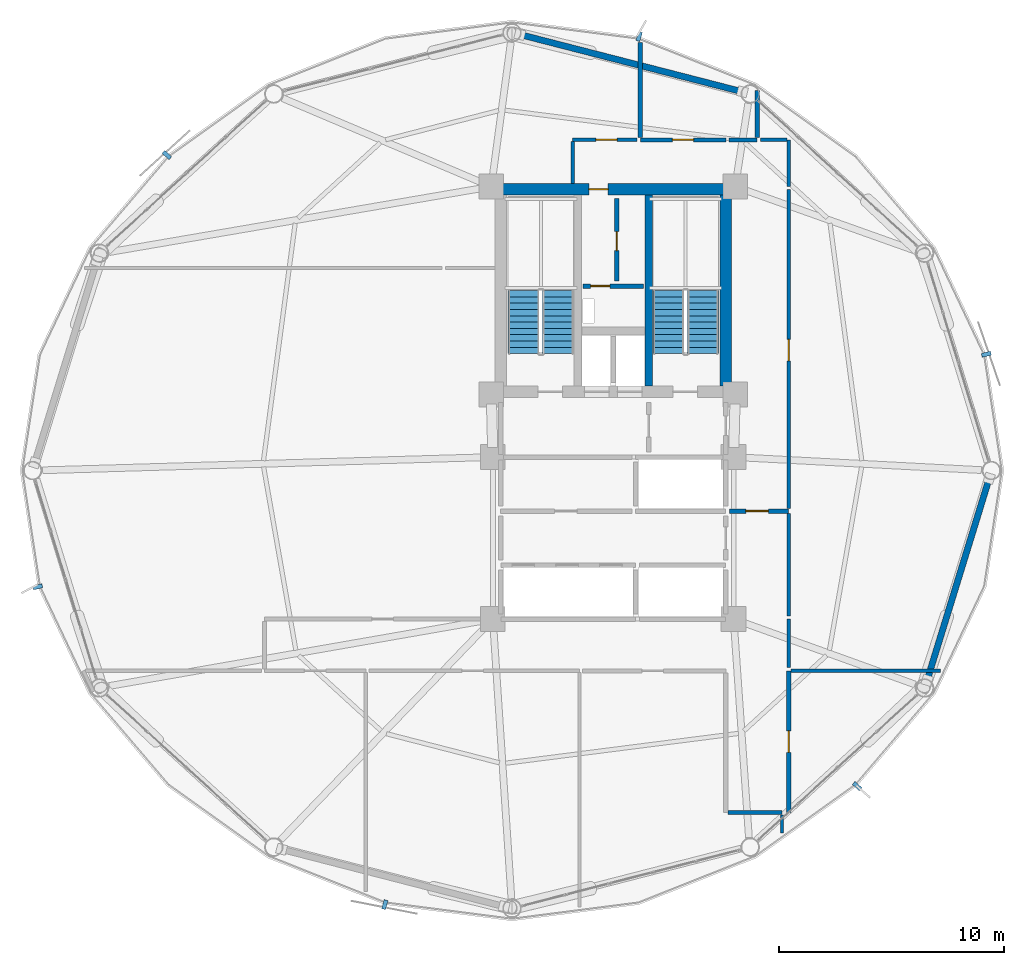
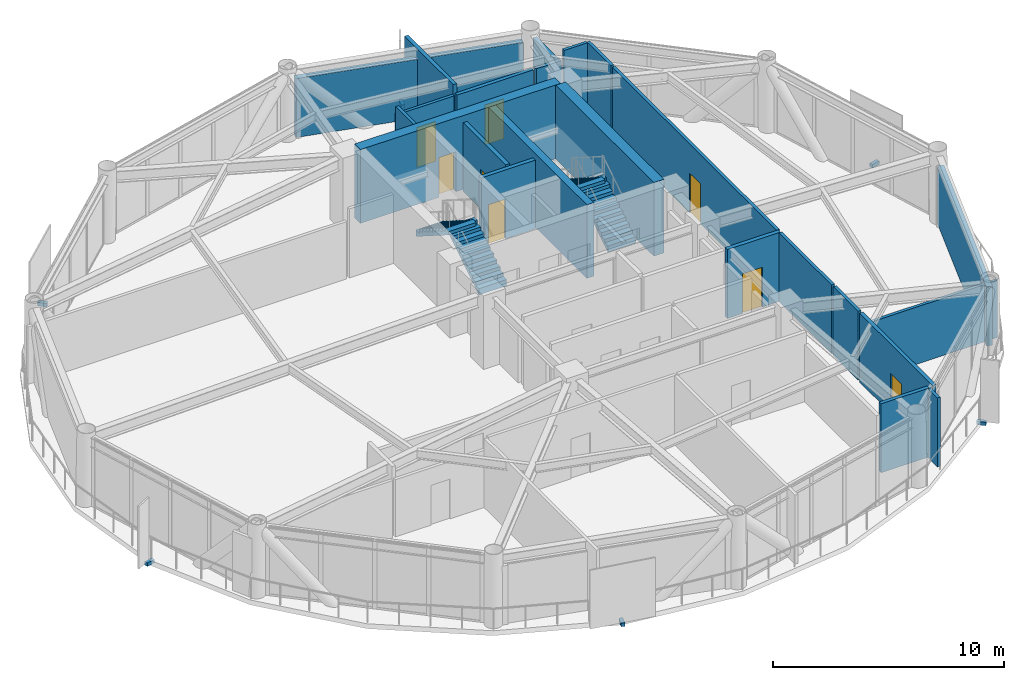
# One storey, part 21 of 24: 23 walls, 8 doors, 6 discrete accessories, 4 stair flights, 8 openings, 2 elements without a shape of their own.
"""IFC4 building model written with IfcOpenShell, lengths in metres."""

from ifc_helpers import new_model, si_unit, direction, frame, frame_2d, origin, origin_2d, place, context, subcontext, project, spatial, polyline, rectangle, outline, extrude, source, transform, mapped, material, layer, layer_set, type_object, type_shapes, element, fill, aggregate, save


model = new_model("IFC4")

# Units and contexts
model_context = context("Model", 3, precision=1e-05, world=origin(), true_north=direction((0.0, 1.0)))
body_context = subcontext(model_context, "Body", "Model", "MODEL_VIEW")
ifc_project = project(units=[si_unit("LENGTHUNIT", "METRE"), si_unit("AREAUNIT", "SQUARE_METRE"), si_unit("VOLUMEUNIT", "CUBIC_METRE"), si_unit("PLANEANGLEUNIT", "RADIAN"), si_unit("MASSUNIT", "GRAM", prefix="KILO")], contexts=[model_context])

# Site, building, storey
site_placement = place(None, origin())
site = spatial("IfcSite", under=ifc_project, at=site_placement, CompositionType="ELEMENT")
building_placement = place(site_placement, origin())
building = spatial("IfcBuilding", under=site, at=building_placement, Name="Varnakorn Sky Granary", CompositionType="ELEMENT")
storey_placement = place(building_placement, frame((0.0, 0.0, 118.800048828125)))
storey = spatial("IfcBuildingStorey", under=building, at=storey_placement, Name="L29", CompositionType="ELEMENT", Elevation=118.800048828125)

# Wall
ifc_material_1 = material(Name="Concrete C50/60", Category="concrete")
ifc_layer_1 = layer(ifc_material_1, 0.35009765625, Name="Concrete C50/60")
ifc_layer_set_1 = layer_set([ifc_layer_1], Name="Concrete C50/60")
wall_type_1 = type_object("IfcWallType", Name="WT-CW-INT-350", PredefinedType="SHEAR", material=ifc_layer_set_1)
wall_1_placement = place(storey_placement, frame((4.580078125, 3.760009765625, 0.0), z_axis=(0.0, 0.0, 1.0), x_axis=(0.0, 1.0, 0.0)))
element("IfcWall", 1, at=wall_1_placement, inside=storey, type_object=wall_type_1, Name="Stair ST-2 Core Wall L29", PredefinedType="SHEAR", context=body_context, shape_type="SweptSolid", body=[
    extrude(rectangle(XDim=8.47998046875, YDim=0.35009765625, at=frame_2d((4.239990234375, 0.0))), origin(), (0.0, 0.0, 1.0), 3.891845703125),
])

# Wall, opening, door
ifc_material_2 = material(Name="Concrete C60/75", Category="concrete")
ifc_layer_2 = layer(ifc_material_2, 0.5, Name="Concrete C60/75")
ifc_layer_set_2 = layer_set([ifc_layer_2], Name="Concrete C60/75")
wall_type_2 = type_object("IfcWallType", Name="WT-CW-SHEAR-500", PredefinedType="SHEAR", material=ifc_layer_set_2)
wall_2_placement = place(storey_placement, frame((-2.0, 12.5, 0.0), z_axis=(0.0, 0.0, 1.0), x_axis=(1.0, 0.0, 0.0)))
wall_2 = element("IfcWall", 2, at=wall_2_placement, inside=storey, type_object=wall_type_2, Name="Core North Shear Wall L29", PredefinedType="SHEAR", context=body_context, shape_type="SweptSolid", body=[
    extrude(rectangle(XDim=10.0, YDim=0.5, at=frame_2d((5.0, 0.0))), origin(), (0.0, 0.0, 1.0), 3.891845703125),
])
opening_1_placement = place(wall_2_placement, frame((3.919921875, 0.0, 0.0)))
opening_1 = element("IfcOpeningElement", 3, at=opening_1_placement, cuts=wall_2, Name="Opening FD-60N", PredefinedType="OPENING", context=body_context, shape_type="SweptSolid", body=[
    extrude(rectangle(XDim=0.85009765625, YDim=2.10009765625, at=frame_2d((0.425048828125, 1.050048828125))), frame((0.0, 0.260009765625, 0.0), z_axis=(0.0, -1.0, 0.0), x_axis=(1.0, 0.0, 0.0)), (0.0, 0.0, 1.0), 0.52001953125),
])
ifc_material_3 = material(Name="Acoustic Timber Fire Leaf", Category="wood")
door_type_1 = type_object("IfcDoorType", Name="DR-FD60-850", OperationType="NOTDEFINED", PredefinedType="DOOR", material=ifc_material_3)
door_1_placement = place(opening_1_placement, origin())
door_1 = element("IfcDoor", 4, at=door_1_placement, inside=storey, type_object=door_type_1, Name="Core North Service Door L29", OperationType="SINGLE_SWING_LEFT", OverallHeight=2.10009765625, OverallWidth=0.85009765625, PredefinedType="DOOR", context=body_context, shape_type="SweptSolid", body=[
    extrude(rectangle(XDim=0.85009765625, YDim=2.10009765625, at=frame_2d((0.425048828125, 1.050048828125))), frame((0.0, 0.02490234375, 0.0), z_axis=(0.0, -1.0, 0.0), x_axis=(1.0, 0.0, 0.0)), (0.0, 0.0, 1.0), 0.050048828125),
])
fill(opening_1, door_1)

# Walls
wall_3_placement = place(storey_placement, frame((8.0, 3.760009765625, 0.0), z_axis=(0.0, 0.0, 1.0), x_axis=(0.0, 1.0, 0.0)))
element("IfcWall", 5, at=wall_3_placement, inside=storey, type_object=wall_type_2, Name="Core East Shear Wall L29", PredefinedType="SHEAR", context=body_context, shape_type="SweptSolid", body=[
    extrude(rectangle(XDim=8.47998046875, YDim=0.5, at=frame_2d((4.239990234375, 0.0))), origin(), (0.0, 0.0, 1.0), 3.891845703125),
])
ifc_material_4 = material(Name="Precast concrete C40/50", Category="concrete")
ifc_layer_3 = layer(ifc_material_4, 0.280029296875, Name="Precast concrete C40/50")
ifc_layer_set_3 = layer_set([ifc_layer_3], Name="Precast concrete C40/50")
wall_type_3 = type_object("IfcWallType", Name="WT-EW-CRN-280", PredefinedType="SOLIDWALL", material=ifc_layer_set_3)
wall_4_placement = place(storey_placement, frame((-1.14990234375, 19.37890625, 0.0), z_axis=(0.0, 0.0, 1.0), x_axis=(0.968450417212, -0.249206318945, 0.0)))
element("IfcWall", 6, at=wall_4_placement, inside=storey, type_object=wall_type_3, Name="Agritech Insulated Precast Facade Wall L29-P03", PredefinedType="SOLIDWALL", context=body_context, shape_type="SweptSolid", body=[
    extrude(rectangle(XDim=10.213134765625, YDim=0.280029296875, at=frame_2d((5.1064453125, 0.0))), origin(), (0.0, 0.0, 1.0), 3.10986328125),
])
wall_5_placement = place(storey_placement, frame((19.710693359375, -0.345458984375, 0.0), z_axis=(0.0, 0.0, 1.0), x_axis=(-0.293928735114, -0.955827337271, 0.0)))
element("IfcWall", 7, at=wall_5_placement, inside=storey, type_object=wall_type_3, Name="Agritech Insulated Precast Facade Wall L29-P12", PredefinedType="SOLIDWALL", context=body_context, shape_type="SweptSolid", body=[
    extrude(rectangle(XDim=9.390869140625, YDim=0.280029296875, at=frame_2d((4.6953125, 0.0))), origin(), (0.0, 0.0, 1.0), 3.10986328125),
])

# Wall, opening, door
ifc_material_5 = material(Name="Autoclaved Aerated Concrete Blockwork", Category="masonry")
ifc_layer_4 = layer(ifc_material_5, 0.199951171875, Name="Autoclaved Aerated Concrete Blockwork")
ifc_layer_set_4 = layer_set([ifc_layer_4], Name="Autoclaved Aerated Concrete Blockwork")
wall_type_4 = type_object("IfcWallType", Name="WT-FIRE-200", PredefinedType="MOVABLE", material=ifc_layer_set_4)
wall_6_placement = place(storey_placement, frame((1.64990234375, 8.199951171875, 0.0), z_axis=(0.0, 0.0, 1.0), x_axis=(1.0, 0.0, 0.0)))
wall_6 = element("IfcWall", 8, at=wall_6_placement, inside=storey, type_object=wall_type_4, Name="Interior Partition Wall L29-013", PredefinedType="MOVABLE", context=body_context, shape_type="SweptSolid", body=[
    extrude(rectangle(XDim=2.7001953125, YDim=0.199951171875, at=frame_2d((1.35009765625, 0.0))), origin(), (0.0, 0.0, 1.0), 3.639892578125),
])
opening_2_placement = place(wall_6_placement, frame((0.35009765625, 0.0, 0.0)))
opening_2 = element("IfcOpeningElement", 9, at=opening_2_placement, cuts=wall_6, Name="Opening FD-60N", PredefinedType="OPENING", context=body_context, shape_type="SweptSolid", body=[
    extrude(rectangle(XDim=0.85009765625, YDim=2.10009765625, at=frame_2d((0.425048828125, 1.050048828125))), frame((0.0, 0.10986328125, 0.0), z_axis=(0.0, -1.0, 0.0), x_axis=(1.0, 0.0, 0.0)), (0.0, 0.0, 1.0), 0.219970703125),
])
door_2_placement = place(opening_2_placement, origin())
door_2 = element("IfcDoor", 10, at=door_2_placement, inside=storey, type_object=door_type_1, Name="Interior Door L29-013-1", OperationType="SINGLE_SWING_RIGHT", OverallHeight=2.10009765625, OverallWidth=0.85009765625, PredefinedType="DOOR", context=body_context, shape_type="SweptSolid", body=[
    extrude(rectangle(XDim=0.85009765625, YDim=2.10009765625, at=frame_2d((0.425048828125, 1.050048828125))), frame((0.0, 0.02490234375, 0.0), z_axis=(0.0, -1.0, 0.0), x_axis=(1.0, 0.0, 0.0)), (0.0, 0.0, 1.0), 0.050048828125),
])
fill(opening_2, door_2)

wall_7_placement = place(storey_placement, frame((3.14990234375, 8.429931640625, 0.0), z_axis=(0.0, 0.0, 1.0), x_axis=(0.0, 1.0, 0.0)))
wall_7 = element("IfcWall", 11, at=wall_7_placement, inside=storey, type_object=wall_type_4, Name="Interior Partition Wall L29-014", PredefinedType="MOVABLE", context=body_context, shape_type="SweptSolid", body=[
    extrude(rectangle(XDim=3.670166015625, YDim=0.199951171875, at=frame_2d((1.8349609375, 0.0))), origin(), (0.0, 0.0, 1.0), 3.639892578125),
])
opening_3_placement = place(wall_7_placement, frame((1.340087890625, 0.0, 0.0)))
opening_3 = element("IfcOpeningElement", 12, at=opening_3_placement, cuts=wall_7, Name="Opening FD-60N", PredefinedType="OPENING", context=body_context, shape_type="SweptSolid", body=[
    extrude(rectangle(XDim=0.85009765625, YDim=2.10009765625, at=frame_2d((0.425048828125, 1.050048828125))), frame((0.0, 0.10986328125, 0.0), z_axis=(0.0, -1.0, 0.0), x_axis=(1.0, 0.0, 0.0)), (0.0, 0.0, 1.0), 0.219970703125),
])
door_3_placement = place(opening_3_placement, origin())
door_3 = element("IfcDoor", 13, at=door_3_placement, inside=storey, type_object=door_type_1, Name="Interior Door L29-014-1", OperationType="SINGLE_SWING_LEFT", OverallHeight=2.10009765625, OverallWidth=0.85009765625, PredefinedType="DOOR", context=body_context, shape_type="SweptSolid", body=[
    extrude(rectangle(XDim=0.85009765625, YDim=2.10009765625, at=frame_2d((0.425048828125, 1.050048828125))), frame((0.0, 0.02490234375, 0.0), z_axis=(0.0, -1.0, 0.0), x_axis=(1.0, 0.0, 0.0)), (0.0, 0.0, 1.0), 0.050048828125),
])
fill(opening_3, door_3)

wall_8_placement = place(storey_placement, frame((8.159912109375, -1.800048828125, 0.0), z_axis=(0.0, 0.0, 1.0), x_axis=(1.0, 0.0, 0.0)))
wall_8 = element("IfcWall", 14, at=wall_8_placement, inside=storey, type_object=wall_type_4, Name="Interior Partition Wall L29-019", PredefinedType="MOVABLE", context=body_context, shape_type="SweptSolid", body=[
    extrude(rectangle(XDim=2.64013671875, YDim=0.199951171875, at=frame_2d((1.320068359375, 0.0))), origin(), (0.0, 0.0, 1.0), 3.639892578125),
])
opening_4_placement = place(wall_8_placement, frame((0.739990234375, 0.0, 0.0)))
opening_4 = element("IfcOpeningElement", 15, at=opening_4_placement, cuts=wall_8, Name="Opening FD-60", PredefinedType="OPENING", context=body_context, shape_type="SweptSolid", body=[
    extrude(rectangle(XDim=1.0, YDim=2.10009765625, at=frame_2d((0.5, 1.050048828125))), frame((0.0, 0.10986328125, 0.0), z_axis=(0.0, -1.0, 0.0), x_axis=(1.0, 0.0, 0.0)), (0.0, 0.0, 1.0), 0.219970703125),
])
door_type_2 = type_object("IfcDoorType", Name="DR-FD60-1000", OperationType="NOTDEFINED", PredefinedType="DOOR", material=ifc_material_3)
door_4_placement = place(opening_4_placement, origin())
door_4 = element("IfcDoor", 16, at=door_4_placement, inside=storey, type_object=door_type_2, Name="Interior Door L29-019-1", OperationType="SINGLE_SWING_RIGHT", OverallHeight=2.10009765625, OverallWidth=1.0, PredefinedType="DOOR", context=body_context, shape_type="SweptSolid", body=[
    extrude(rectangle(XDim=1.0, YDim=2.10009765625, at=frame_2d((0.5, 1.050048828125))), frame((0.0, 0.02490234375, 0.0), z_axis=(0.0, -1.0, 0.0), x_axis=(1.0, 0.0, 0.0)), (0.0, 0.0, 1.0), 0.050048828125),
])
fill(opening_4, door_4)

ifc_material_6 = material(Name="Gypsum Plasterboard on Steel Stud", Category="steel")
ifc_layer_5 = layer(ifc_material_6, 0.14990234375, Name="Gypsum Plasterboard on Steel Stud")
ifc_layer_set_5 = layer_set([ifc_layer_5], Name="Gypsum Plasterboard on Steel Stud")
wall_type_5 = type_object("IfcWallType", Name="WT-PART-150", PredefinedType="PARTITIONING", material=ifc_layer_set_5)
wall_9_placement = place(storey_placement, frame((4.050048828125, 14.699951171875, 0.0), z_axis=(0.0, 0.0, 1.0), x_axis=(-1.0, 0.0, 0.0)))
wall_9 = element("IfcWall", 17, at=wall_9_placement, inside=storey, type_object=wall_type_5, Name="Interior Partition Wall L29-026", PredefinedType="PARTITIONING", context=body_context, shape_type="SweptSolid", body=[
    extrude(rectangle(XDim=2.85009765625, YDim=0.14990234375, at=frame_2d((1.425048828125, 0.0))), origin(), (0.0, 0.0, 1.0), 3.171875),
])
opening_5_placement = place(wall_9_placement, frame((0.875, 0.0, 0.0)))
opening_5 = element("IfcOpeningElement", 18, at=opening_5_placement, cuts=wall_9, Name="Opening ID-95", PredefinedType="OPENING", context=body_context, shape_type="SweptSolid", body=[
    extrude(rectangle(XDim=0.949951171875, YDim=2.10009765625, at=frame_2d((0.47509765625, 1.050048828125))), frame((0.0, 0.0849609375, 0.0), z_axis=(0.0, -1.0, 0.0), x_axis=(1.0, 0.0, 0.0)), (0.0, 0.0, 1.0), 0.169921875),
])
ifc_material_7 = material(Name="Solid-Core Teak Veneer Leaf", Category="timber")
door_type_3 = type_object("IfcDoorType", Name="DR-INT-950", OperationType="NOTDEFINED", PredefinedType="DOOR", material=ifc_material_7)
door_5_placement = place(opening_5_placement, origin())
door_5 = element("IfcDoor", 19, at=door_5_placement, inside=storey, type_object=door_type_3, Name="Interior Door L29-026-1", OperationType="SINGLE_SWING_LEFT", OverallHeight=2.10009765625, OverallWidth=0.949951171875, PredefinedType="DOOR", context=body_context, shape_type="SweptSolid", body=[
    extrude(rectangle(XDim=0.949951171875, YDim=2.10009765625, at=frame_2d((0.47509765625, 1.050048828125))), frame((0.0, 0.02490234375, 0.0), z_axis=(0.0, -1.0, 0.0), x_axis=(1.0, 0.0, 0.0)), (0.0, 0.0, 1.0), 0.050048828125),
])
fill(opening_5, door_5)

wall_10_placement = place(storey_placement, frame((10.800048828125, -1.68994140625, 0.0), z_axis=(0.0, 0.0, 1.0), x_axis=(0.0, 1.0, 0.0)))
wall_10 = element("IfcWall", 20, at=wall_10_placement, inside=storey, type_object=wall_type_5, Name="Interior Partition Wall L29-027", PredefinedType="PARTITIONING", context=body_context, shape_type="SweptSolid", body=[
    extrude(rectangle(XDim=14.18994140625, YDim=0.14990234375, at=frame_2d((7.094970703125, 0.0))), origin(), (0.0, 0.0, 1.0), 3.639892578125),
])
opening_6_placement = place(wall_10_placement, frame((6.56494140625, 0.0, 0.0)))
opening_6 = element("IfcOpeningElement", 21, at=opening_6_placement, cuts=wall_10, Name="Opening ID-95", PredefinedType="OPENING", context=body_context, shape_type="SweptSolid", body=[
    extrude(rectangle(XDim=0.949951171875, YDim=2.10009765625, at=frame_2d((0.47509765625, 1.050048828125))), frame((0.0, 0.0849609375, 0.0), z_axis=(0.0, -1.0, 0.0), x_axis=(1.0, 0.0, 0.0)), (0.0, 0.0, 1.0), 0.169921875),
])
door_6_placement = place(opening_6_placement, origin())
door_6 = element("IfcDoor", 22, at=door_6_placement, inside=storey, type_object=door_type_3, Name="Interior Door L29-027-1", OperationType="SINGLE_SWING_RIGHT", OverallHeight=2.10009765625, OverallWidth=0.949951171875, PredefinedType="DOOR", context=body_context, shape_type="SweptSolid", body=[
    extrude(rectangle(XDim=0.949951171875, YDim=2.10009765625, at=frame_2d((0.47509765625, 1.050048828125))), frame((0.0, 0.02490234375, 0.0), z_axis=(0.0, -1.0, 0.0), x_axis=(1.0, 0.0, 0.0)), (0.0, 0.0, 1.0), 0.050048828125),
])
fill(opening_6, door_6)

# Walls
wall_11_placement = place(storey_placement, frame((10.5, -15.300048828125, 0.0), z_axis=(0.0, 0.0, 1.0), x_axis=(0.0, -1.0, 0.0)))
element("IfcWall", 23, at=wall_11_placement, inside=storey, type_object=wall_type_5, Name="Interior Partition Wall L29-039", PredefinedType="PARTITIONING", context=body_context, shape_type="SweptSolid", body=[
    extrude(rectangle(XDim=0.81689453125, YDim=0.14990234375, at=frame_2d((0.408447265625, 0.0))), origin(), (0.0, 0.0, 1.0), 3.639892578125),
])
wall_12_placement = place(storey_placement, frame((10.89990234375, -8.89990234375, 0.0), z_axis=(0.0, 0.0, 1.0), x_axis=(1.0, 0.0, 0.0)))
element("IfcWall", 24, at=wall_12_placement, inside=storey, type_object=wall_type_5, Name="Interior Partition Wall L29-040", PredefinedType="PARTITIONING", context=body_context, shape_type="SweptSolid", body=[
    extrude(rectangle(XDim=6.649169921875, YDim=0.14990234375, at=frame_2d((3.32470703125, 0.0))), origin(), (0.0, 0.0, 1.0), 3.02197265625),
])
wall_13_placement = place(storey_placement, frame((1.199951171875, 14.614990234375, 0.0), z_axis=(0.0, 0.0, 1.0), x_axis=(0.0, -1.0, 0.0)))
element("IfcWall", 25, at=wall_13_placement, inside=storey, type_object=wall_type_5, Name="Interior Partition Wall L29-044", PredefinedType="PARTITIONING", context=body_context, shape_type="SweptSolid", body=[
    extrude(rectangle(XDim=1.85498046875, YDim=0.14990234375, at=frame_2d((0.927490234375, 0.0))), origin(), (0.0, 0.0, 1.0), 3.639892578125),
])
wall_14_placement = place(storey_placement, frame((10.800048828125, 12.635009765625, 0.0), z_axis=(0.0, 0.0, 1.0), x_axis=(0.0, 1.0, 0.0)))
element("IfcWall", 26, at=wall_14_placement, inside=storey, type_object=wall_type_5, Name="Interior Partition Wall L29-046", PredefinedType="PARTITIONING", context=body_context, shape_type="SweptSolid", body=[
    extrude(rectangle(XDim=2.06494140625, YDim=0.14990234375, at=frame_2d((1.032470703125, 0.0))), origin(), (0.0, 0.0, 1.0), 3.639892578125),
])
wall_15_placement = place(storey_placement, frame((10.715087890625, 14.699951171875, 0.0), z_axis=(0.0, 0.0, 1.0), x_axis=(-1.0, 0.0, 0.0)))
element("IfcWall", 27, at=wall_15_placement, inside=storey, type_object=wall_type_5, Name="Interior Partition Wall L29-047", PredefinedType="PARTITIONING", context=body_context, shape_type="SweptSolid", body=[
    extrude(rectangle(XDim=1.1650390625, YDim=0.14990234375, at=frame_2d((0.58251953125, 0.0))), origin(), (0.0, 0.0, 1.0), 3.639892578125),
])
wall_16_placement = place(storey_placement, frame((10.800048828125, -8.75, 0.0), z_axis=(0.0, 0.0, 1.0), x_axis=(0.0, 1.0, 0.0)))
element("IfcWall", 28, at=wall_16_placement, inside=storey, type_object=wall_type_5, Name="Interior Partition Wall L29-048", PredefinedType="PARTITIONING", context=body_context, shape_type="SweptSolid", body=[
    extrude(rectangle(XDim=2.14990234375, YDim=0.14990234375, at=frame_2d((1.074951171875, 0.0))), origin(), (0.0, 0.0, 1.0), 3.639892578125),
])
wall_17_placement = place(storey_placement, frame((10.800048828125, -6.465087890625, 0.0), z_axis=(0.0, 0.0, 1.0), x_axis=(0.0, 1.0, 0.0)))
element("IfcWall", 29, at=wall_17_placement, inside=storey, type_object=wall_type_5, Name="Interior Partition Wall L29-049", PredefinedType="PARTITIONING", context=body_context, shape_type="SweptSolid", body=[
    extrude(rectangle(XDim=4.55517578125, YDim=0.14990234375, at=frame_2d((2.277587890625, 0.0))), origin(), (0.0, 0.0, 1.0), 3.639892578125),
])

# Wall, opening, door
ifc_material_8 = material(Name="Moisture-Resistant Gypsum on Stud", Category="gypsum")
ifc_layer_6 = layer(ifc_material_8, 0.179931640625, Name="Moisture-Resistant Gypsum on Stud")
ifc_layer_set_6 = layer_set([ifc_layer_6], Name="Moisture-Resistant Gypsum on Stud")
wall_type_6 = type_object("IfcWallType", Name="WT-PLUMB-180", PredefinedType="PLUMBINGWALL", material=ifc_layer_set_6)
wall_18_placement = place(storey_placement, frame((8.0, 14.699951171875, 0.0), z_axis=(0.0, 0.0, 1.0), x_axis=(-1.0, 0.0, 0.0)))
wall_18 = element("IfcWall", 30, at=wall_18_placement, inside=storey, type_object=wall_type_6, Name="Interior Partition Wall L29-020", PredefinedType="PLUMBINGWALL", context=body_context, shape_type="SweptSolid", body=[
    extrude(rectangle(XDim=3.800048828125, YDim=0.179931640625, at=frame_2d((1.89990234375, 0.0))), origin(), (0.0, 0.0, 1.0), 3.171875),
])
opening_7_placement = place(wall_18_placement, frame((1.425048828125, 0.0, 0.0)))
opening_7 = element("IfcOpeningElement", 31, at=opening_7_placement, cuts=wall_18, Name="Opening ID-95", PredefinedType="OPENING", context=body_context, shape_type="SweptSolid", body=[
    extrude(rectangle(XDim=0.949951171875, YDim=2.10009765625, at=frame_2d((0.47509765625, 1.050048828125))), frame((0.0, 0.10009765625, 0.0), z_axis=(0.0, -1.0, 0.0), x_axis=(1.0, 0.0, 0.0)), (0.0, 0.0, 1.0), 0.199951171875),
])
door_7_placement = place(opening_7_placement, origin())
door_7 = element("IfcDoor", 32, at=door_7_placement, inside=storey, type_object=door_type_3, Name="Interior Door L29-020-1", OperationType="SINGLE_SWING_LEFT", OverallHeight=2.10009765625, OverallWidth=0.949951171875, PredefinedType="DOOR", context=body_context, shape_type="SweptSolid", body=[
    extrude(rectangle(XDim=0.949951171875, YDim=2.10009765625, at=frame_2d((0.47509765625, 1.050048828125))), frame((0.0, 0.02490234375, 0.0), z_axis=(0.0, -1.0, 0.0), x_axis=(1.0, 0.0, 0.0)), (0.0, 0.0, 1.0), 0.050048828125),
])
fill(opening_7, door_7)

wall_19_placement = place(storey_placement, frame((10.800048828125, -15.199951171875, 0.0), z_axis=(0.0, 0.0, 1.0), x_axis=(0.0, 1.0, 0.0)))
wall_19 = element("IfcWall", 33, at=wall_19_placement, inside=storey, type_object=wall_type_6, Name="Interior Partition Wall L29-024", PredefinedType="PLUMBINGWALL", context=body_context, shape_type="SweptSolid", body=[
    extrude(rectangle(XDim=6.300048828125, YDim=0.179931640625, at=frame_2d((3.14990234375, 0.0))), origin(), (0.0, 0.0, 1.0), 3.639892578125),
])
opening_8_placement = place(wall_19_placement, frame((2.675048828125, 0.0, 0.0)))
opening_8 = element("IfcOpeningElement", 34, at=opening_8_placement, cuts=wall_19, Name="Opening ID-95", PredefinedType="OPENING", context=body_context, shape_type="SweptSolid", body=[
    extrude(rectangle(XDim=0.949951171875, YDim=2.10009765625, at=frame_2d((0.47509765625, 1.050048828125))), frame((0.0, 0.10009765625, 0.0), z_axis=(0.0, -1.0, 0.0), x_axis=(1.0, 0.0, 0.0)), (0.0, 0.0, 1.0), 0.199951171875),
])
door_8_placement = place(opening_8_placement, origin())
door_8 = element("IfcDoor", 35, at=door_8_placement, inside=storey, type_object=door_type_3, Name="Interior Door L29-024-1", OperationType="SINGLE_SWING_LEFT", OverallHeight=2.10009765625, OverallWidth=0.949951171875, PredefinedType="DOOR", context=body_context, shape_type="SweptSolid", body=[
    extrude(rectangle(XDim=0.949951171875, YDim=2.10009765625, at=frame_2d((0.47509765625, 1.050048828125))), frame((0.0, 0.02490234375, 0.0), z_axis=(0.0, -1.0, 0.0), x_axis=(1.0, 0.0, 0.0)), (0.0, 0.0, 1.0), 0.050048828125),
])
fill(opening_8, door_8)

# Walls
wall_20_placement = place(storey_placement, frame((9.39990234375, 14.699951171875, 0.0), z_axis=(0.0, 0.0, 1.0), x_axis=(-1.0, 0.0, 0.0)))
element("IfcWall", 36, at=wall_20_placement, inside=storey, type_object=wall_type_6, Name="Interior Partition Wall L29-032", PredefinedType="PLUMBINGWALL", context=body_context, shape_type="SweptSolid", body=[
    extrude(rectangle(XDim=1.25, YDim=0.179931640625, at=frame_2d((0.625, 0.0))), origin(), (0.0, 0.0, 1.0), 3.171875),
])
wall_21_placement = place(storey_placement, frame((8.10009765625, -15.199951171875, 0.0), z_axis=(0.0, 0.0, 1.0), x_axis=(1.0, 0.0, 0.0)))
element("IfcWall", 37, at=wall_21_placement, inside=storey, type_object=wall_type_6, Name="Interior Partition Wall L29-038", PredefinedType="PLUMBINGWALL", context=body_context, shape_type="SweptSolid", body=[
    extrude(rectangle(XDim=2.39990234375, YDim=0.179931640625, at=frame_2d((1.199951171875, 0.0))), origin(), (0.0, 0.0, 1.0), 3.639892578125),
])
wall_22_placement = place(storey_placement, frame((4.199951171875, 19.01611328125, 0.0), z_axis=(0.0, 0.0, 1.0), x_axis=(0.0, -1.0, 0.0)))
element("IfcWall", 38, at=wall_22_placement, inside=storey, type_object=wall_type_6, Name="Interior Partition Wall L29-045", PredefinedType="PLUMBINGWALL", context=body_context, shape_type="SweptSolid", body=[
    extrude(rectangle(XDim=4.216064453125, YDim=0.179931640625, at=frame_2d((2.10791015625, 0.0))), origin(), (0.0, 0.0, 1.0), 3.639892578125),
])
wall_23_placement = place(storey_placement, frame((9.39990234375, 14.800048828125, 0.0), z_axis=(0.0, 0.0, 1.0), x_axis=(0.0, 1.0, 0.0)))
element("IfcWall", 39, at=wall_23_placement, inside=storey, type_object=wall_type_6, Name="Interior Partition Wall L29-050", PredefinedType="PLUMBINGWALL", context=body_context, shape_type="SweptSolid", body=[
    extrude(rectangle(XDim=2.10205078125, YDim=0.179931640625, at=frame_2d((1.051025390625, 0.0))), origin(), (0.0, 0.0, 1.0), 3.02197265625),
])

# Stair, stair flights
ifc_material_9 = material(Name="Concrete C40/50", Category="concrete")
stair_type = type_object("IfcStairType", Name="ST-MAIN-ASSEMBLY", PredefinedType="HALF_TURN_STAIR", material=ifc_material_9)
stair_1_placement = place(storey_placement, origin())
stair_1 = element("IfcStair", 40, at=stair_1_placement, inside=storey, type_object=stair_type, Name="L29 Protected Exit Stair ST-1", PredefinedType="HALF_TURN_STAIR")
stair_flight_type = type_object("IfcStairFlightType", Name="ST-MAIN-FLIGHT", PredefinedType="STRAIGHT", material=ifc_material_9)
stair_flight_1_placement = place(storey_placement, frame((0.550048828125, 5.199951171875, 0.0), z_axis=(0.0, 0.0, 1.0), x_axis=(0.0, 1.0, 0.0)))
stair_flight_1 = element("IfcStairFlight", 41, at=stair_flight_1_placement, type_object=stair_flight_type, Name="ST-1 flight 1", NumberOfRisers=11, NumberOfTreads=10, PredefinedType="STRAIGHT", RiserHeight=0.177272727, TreadLength=0.28, context=body_context, shape_type="SweptSolid", body=[
    extrude(outline(polyline([(0.0, -0.14990234375), (0.0, 0.0), (0.0, 0.17724609375), (0.280029296875, 0.17724609375), (0.280029296875, 0.3544921875), (0.56005859375, 0.3544921875), (0.56005859375, 0.53173828125), (0.840087890625, 0.53173828125), (0.840087890625, 0.708984375), (1.1201171875, 0.708984375), (1.1201171875, 0.886474609375), (1.39990234375, 0.886474609375), (1.39990234375, 1.063720703125), (1.679931640625, 1.063720703125), (1.679931640625, 1.240966796875), (1.9599609375, 1.240966796875), (1.9599609375, 1.418212890625), (2.239990234375, 1.418212890625), (2.239990234375, 1.595458984375), (2.52001953125, 1.595458984375), (2.52001953125, 1.772705078125), (2.800048828125, 1.772705078125), (2.800048828125, 1.949951171875), (2.800048828125, 1.59521484375), (0.050048828125, -0.14990234375), (0.0, -0.14990234375)])), frame((0.0, 0.68994140625, 0.0), z_axis=(0.0, -1.0, 0.0), x_axis=(1.0, 0.0, 0.0)), (0.0, 0.0, 1.0), 1.3798828125),
])
stair_flight_2_placement = place(storey_placement, frame((-0.97998046875, 8.0, 1.949951171875), z_axis=(0.0, 0.0, 1.0), x_axis=(0.0, -1.0, 0.0)))
stair_flight_2 = element("IfcStairFlight", 42, at=stair_flight_2_placement, type_object=stair_flight_type, Name="ST-1 flight 2", NumberOfRisers=11, NumberOfTreads=10, PredefinedType="STRAIGHT", RiserHeight=0.177272727, TreadLength=0.28, context=body_context, shape_type="SweptSolid", body=[
    extrude(outline(polyline([(0.0, -0.14990234375), (0.0, 0.0), (0.0, 0.17724609375), (0.280029296875, 0.17724609375), (0.280029296875, 0.3544921875), (0.56005859375, 0.3544921875), (0.56005859375, 0.53173828125), (0.840087890625, 0.53173828125), (0.840087890625, 0.708984375), (1.1201171875, 0.708984375), (1.1201171875, 0.886474609375), (1.39990234375, 0.886474609375), (1.39990234375, 1.063720703125), (1.679931640625, 1.063720703125), (1.679931640625, 1.240966796875), (1.9599609375, 1.240966796875), (1.9599609375, 1.418212890625), (2.239990234375, 1.418212890625), (2.239990234375, 1.595458984375), (2.52001953125, 1.595458984375), (2.52001953125, 1.772705078125), (2.800048828125, 1.772705078125), (2.800048828125, 1.949951171875), (2.800048828125, 1.59521484375), (0.050048828125, -0.14990234375), (0.0, -0.14990234375)])), frame((0.0, 0.68994140625, 0.0), z_axis=(0.0, -1.0, 0.0), x_axis=(1.0, 0.0, 0.0)), (0.0, 0.0, 1.0), 1.3798828125),
])
aggregate(stair_1, [stair_flight_1, stair_flight_2])

stair_2_placement = place(storey_placement, origin())
stair_2 = element("IfcStair", 43, at=stair_2_placement, inside=storey, type_object=stair_type, Name="L29 Protected Exit Stair ST-2", PredefinedType="HALF_TURN_STAIR")
stair_flight_3_placement = place(storey_placement, frame((6.989990234375, 5.199951171875, 0.0), z_axis=(0.0, 0.0, 1.0), x_axis=(0.0, 1.0, 0.0)))
stair_flight_3 = element("IfcStairFlight", 44, at=stair_flight_3_placement, type_object=stair_flight_type, Name="ST-2 flight 1", NumberOfRisers=11, NumberOfTreads=10, PredefinedType="STRAIGHT", RiserHeight=0.177272727, TreadLength=0.28, context=body_context, shape_type="SweptSolid", body=[
    extrude(outline(polyline([(0.0, -0.14990234375), (0.0, 0.0), (0.0, 0.17724609375), (0.280029296875, 0.17724609375), (0.280029296875, 0.3544921875), (0.56005859375, 0.3544921875), (0.56005859375, 0.53173828125), (0.840087890625, 0.53173828125), (0.840087890625, 0.708984375), (1.1201171875, 0.708984375), (1.1201171875, 0.886474609375), (1.39990234375, 0.886474609375), (1.39990234375, 1.063720703125), (1.679931640625, 1.063720703125), (1.679931640625, 1.240966796875), (1.9599609375, 1.240966796875), (1.9599609375, 1.418212890625), (2.239990234375, 1.418212890625), (2.239990234375, 1.595458984375), (2.52001953125, 1.595458984375), (2.52001953125, 1.772705078125), (2.800048828125, 1.772705078125), (2.800048828125, 1.949951171875), (2.800048828125, 1.59521484375), (0.050048828125, -0.14990234375), (0.0, -0.14990234375)])), frame((0.0, 0.68994140625, 0.0), z_axis=(0.0, -1.0, 0.0), x_axis=(1.0, 0.0, 0.0)), (0.0, 0.0, 1.0), 1.3798828125),
])
stair_flight_4_placement = place(storey_placement, frame((5.4599609375, 8.0, 1.949951171875), z_axis=(0.0, 0.0, 1.0), x_axis=(0.0, -1.0, 0.0)))
stair_flight_4 = element("IfcStairFlight", 45, at=stair_flight_4_placement, type_object=stair_flight_type, Name="ST-2 flight 2", NumberOfRisers=11, NumberOfTreads=10, PredefinedType="STRAIGHT", RiserHeight=0.177272727, TreadLength=0.28, context=body_context, shape_type="SweptSolid", body=[
    extrude(outline(polyline([(0.0, -0.14990234375), (0.0, 0.0), (0.0, 0.17724609375), (0.280029296875, 0.17724609375), (0.280029296875, 0.3544921875), (0.56005859375, 0.3544921875), (0.56005859375, 0.53173828125), (0.840087890625, 0.53173828125), (0.840087890625, 0.708984375), (1.1201171875, 0.708984375), (1.1201171875, 0.886474609375), (1.39990234375, 0.886474609375), (1.39990234375, 1.063720703125), (1.679931640625, 1.063720703125), (1.679931640625, 1.240966796875), (1.9599609375, 1.240966796875), (1.9599609375, 1.418212890625), (2.239990234375, 1.418212890625), (2.239990234375, 1.595458984375), (2.52001953125, 1.595458984375), (2.52001953125, 1.772705078125), (2.800048828125, 1.772705078125), (2.800048828125, 1.949951171875), (2.800048828125, 1.59521484375), (0.050048828125, -0.14990234375), (0.0, -0.14990234375)])), frame((0.0, 0.68994140625, 0.0), z_axis=(0.0, -1.0, 0.0), x_axis=(1.0, 0.0, 0.0)), (0.0, 0.0, 1.0), 1.3798828125),
])
aggregate(stair_2, [stair_flight_3, stair_flight_4])

# Discrete accessories
ifc_material_10 = material(Name="Steel S355JR", Category="steel")
discrete_accessory_type = type_object("IfcDiscreteAccessoryType", Name="AC-BRK-01", PredefinedType="BRACKET", material=ifc_material_10)
shared_shape = source(origin(), body_context, "Body", "SweptSolid", [
    extrude(rectangle(XDim=0.179931640625, YDim=0.419921875, at=origin_2d()), origin(), (0.0, 0.0, 1.0), 0.179931640625),
])
type_shapes(discrete_accessory_type, [shared_shape])
for number, where, z_axis, x_axis, name in (
    (46, (19.5791015625, 5.167236328125, -0.2001953125), (0.0, 0.0, 1.0), (-0.238084066687, 0.971244550662, 0.0), "Facade Solar-Screen Outrigger Bracket L29-01"),
    (47, (4.150634765625, 19.292724609375, -0.2001953125), (0.0, 0.0, 1.0), (-0.959683788199, 0.281081886053, 0.0), "Facade Solar-Screen Outrigger Bracket L29-03"),
    (48, (-16.8388671875, 14.0244140625, -0.2001953125), (0.0, 0.0, 1.0), (-0.674778688952, -0.738020135861, 0.0), "Facade Solar-Screen Outrigger Bracket L29-05"),
    (49, (-22.5791015625, -5.167236328125, -0.2001953125), (0.0, 0.0, 1.0), (0.238084066687, -0.971244550662, 0.0), "Facade Solar-Screen Outrigger Bracket L29-07"),
    (50, (-7.150634765625, -19.292724609375, -0.2001953125), (0.0, 0.0, 1.0), (0.959683788199, -0.281081886053, 0.0), "Facade Solar-Screen Outrigger Bracket L29-09"),
    (51, (13.8388671875, -14.0244140625, -0.2001953125), (0.0, 0.0, 1.0), (0.674778688952, 0.738020135861, 0.0), "Facade Solar-Screen Outrigger Bracket L29-11"),
):
    element("IfcDiscreteAccessory", number, at=place(storey_placement, frame(where, z_axis=z_axis, x_axis=x_axis)), inside=storey, type_object=discrete_accessory_type, Name=name, PredefinedType="BRACKET", context=body_context, shape_type="MappedRepresentation", body=[
        mapped(shared_shape, transform((0.0, 0.0, 0.0), x_axis=(1.0, 0.0, 0.0), y_axis=(0.0, 1.0, 0.0), z_axis=(0.0, 0.0, 1.0), scale=1.0)),
    ])

save(model, "model.ifc")
